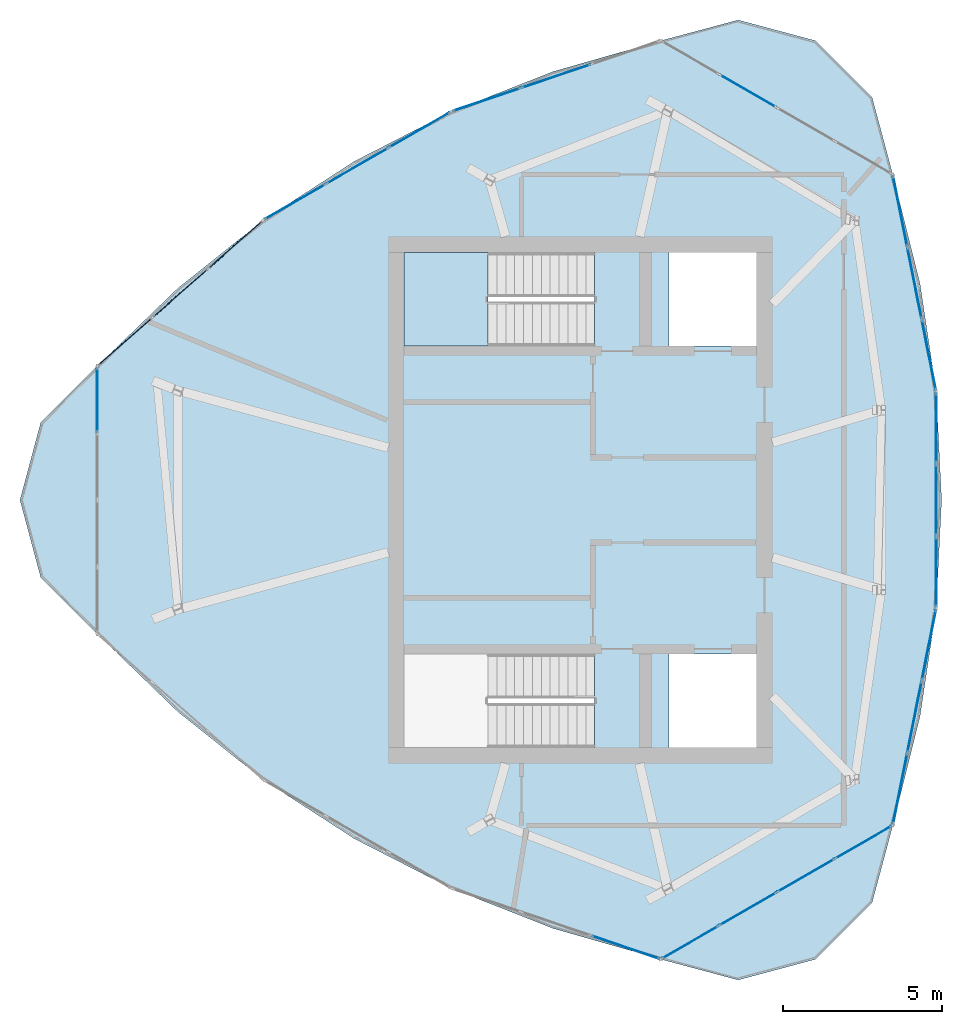
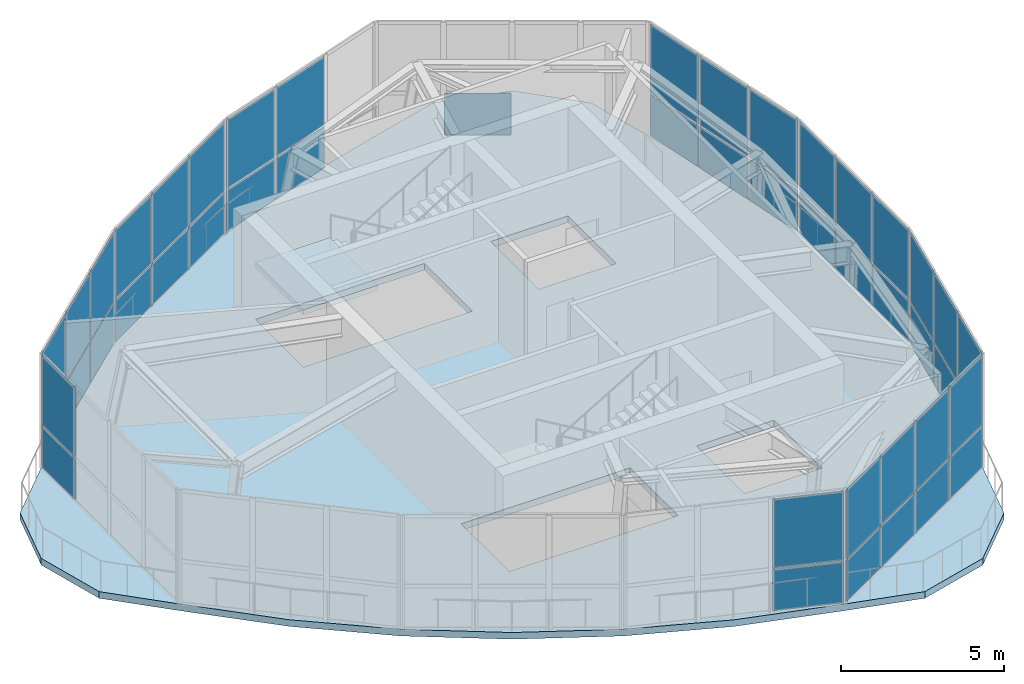
# One storey, part 6 of 10: 47 plates, 2 slabs, 11 elements without a shape of their own.
"""IFC4 building model written with IfcOpenShell, lengths in metres."""

from ifc_helpers import new_model, si_unit, direction, frame, origin, origin_2d, place, context, subcontext, project, spatial, polyline, rectangle, outline, extrude, source, transform, mapped, material, layer, layer_set, type_object, element, aggregate, save


model = new_model("IFC4")

# Units and contexts
model_context = context("Model", 3, precision=1e-05, world=origin(), true_north=direction((0.0, 1.0)))
body_context = subcontext(model_context, "Body", "Model", "MODEL_VIEW")
ifc_project = project(units=[si_unit("LENGTHUNIT", "METRE"), si_unit("AREAUNIT", "SQUARE_METRE"), si_unit("VOLUMEUNIT", "CUBIC_METRE"), si_unit("PLANEANGLEUNIT", "RADIAN"), si_unit("MASSUNIT", "GRAM", prefix="KILO")], contexts=[model_context])

# Site, building, storey
site_placement = place(None, origin())
site = spatial("IfcSite", under=ifc_project, at=site_placement, CompositionType="ELEMENT")
building_placement = place(site_placement, origin())
building = spatial("IfcBuilding", under=site, at=building_placement, Name="Qafzar Sky-Pleat Residences", CompositionType="ELEMENT")
storey_placement = place(building_placement, frame((0.0, 0.0, 261.800048828125)))
storey = spatial("IfcBuildingStorey", under=building, at=storey_placement, Name="L78 Crown", CompositionType="ELEMENT", Elevation=261.800048828125)

# Slab
ifc_material_1 = material(Name="Concrete C40/50", Category="concrete")
ifc_layer_1 = layer(ifc_material_1, 0.25)
ifc_layer_set_1 = layer_set([ifc_layer_1], Name="Concrete C40/50")
slab_type_1 = type_object("IfcSlabType", Name="SLAB-FLR-250", PredefinedType="FLOOR", material=ifc_layer_set_1)
slab_1_placement = place(storey_placement, frame((0.0, 0.0, -0.25)))
element("IfcSlab", 1, at=slab_1_placement, inside=storey, type_object=slab_type_1, Name="L78 Crown Crown Plant Floor Slab", PredefinedType="FLOOR", context=body_context, shape_type="SweptSolid", body=[
    extrude(outline(polyline([(15.12939453125, 30.21923828125), (13.345947265625, 28.43603515625), (12.693359375, 26.0), (13.345947265625, 23.56396484375), (15.12939453125, 21.78076171875), (17.661865234375, 19.33203125), (20.364990234375, 17.17919921875), (23.239501953125, 15.322509765625), (26.284423828125, 13.76171875), (29.50048828125, 12.496826171875), (32.887451171875, 11.528076171875), (35.323486328125, 10.87548828125), (37.759521484375, 11.528076171875), (39.54248046875, 13.311279296875), (40.1953125, 15.747314453125), (41.0498046875, 19.164794921875), (41.5625, 22.58251953125), (41.7333984375, 26.0), (41.5625, 29.41748046875), (41.0498046875, 32.835205078125), (40.1953125, 36.252685546875), (39.54248046875, 38.688720703125), (37.759521484375, 40.471923828125), (35.323486328125, 41.12451171875), (32.887451171875, 40.471923828125), (29.50048828125, 39.503173828125), (26.284423828125, 38.23828125), (23.239501953125, 36.677490234375), (20.364990234375, 34.82080078125), (17.661865234375, 32.66796875), (15.12939453125, 30.21923828125)]), holes=[polyline([(30.797119140625, 21.14990234375), (24.800048828125, 21.14990234375), (24.800048828125, 18.199951171875), (30.797119140625, 18.199951171875), (30.797119140625, 21.14990234375)]), polyline([(30.797119140625, 33.800048828125), (24.800048828125, 33.800048828125), (24.800048828125, 30.85009765625), (30.797119140625, 30.85009765625), (30.797119140625, 33.800048828125)]), polyline([(33.14990234375, 18.199951171875), (35.89990234375, 18.199951171875), (35.89990234375, 21.14990234375), (33.14990234375, 21.14990234375), (33.14990234375, 18.199951171875)]), polyline([(33.14990234375, 30.85009765625), (35.89990234375, 30.85009765625), (35.89990234375, 33.800048828125), (33.14990234375, 33.800048828125), (33.14990234375, 30.85009765625)])]), origin(), (0.0, 0.0, 1.0), 0.25),
])

# Stair, slab
stair_type = type_object("IfcStairType", Name="STAIR-H430", PredefinedType="HALF_TURN_STAIR", material=ifc_material_1)
stair_placement = place(storey_placement, origin())
stair = element("IfcStair", 2, at=stair_placement, inside=storey, type_object=stair_type, Name="L78 Crown Protected Exit Stair ST2", PredefinedType="HALF_TURN_STAIR")
ifc_layer_2 = layer(ifc_material_1, 0.199951171875)
ifc_layer_set_2 = layer_set([ifc_layer_2], Name="Concrete C40/50")
slab_type_2 = type_object("IfcSlabType", Name="SLAB-LANDING-200", PredefinedType="LANDING", material=ifc_layer_set_2)
slab_2_placement = place(storey_placement, frame((0.0, 0.0, 1.949951171875)))
slab_2 = element("IfcSlab", 3, at=slab_2_placement, type_object=slab_type_2, Name="ST2 landing 1", PredefinedType="LANDING", context=body_context, shape_type="SweptSolid", body=[
    extrude(outline(polyline([(27.43994140625, 33.800048828125), (24.800048828125, 33.800048828125), (24.800048828125, 30.85009765625), (27.43994140625, 30.85009765625), (27.43994140625, 33.800048828125)])), origin(), (0.0, 0.0, 1.0), 0.199951171875),
])
aggregate(stair, [slab_2])

# Curtain wall, plate
ifc_material_2 = material(Name="Anodised bronze aluminium framing", Category="aluminium")
ifc_layer_3 = layer(ifc_material_2, 0.179931640625)
ifc_layer_set_3 = layer_set([ifc_layer_3], Name="Anodised bronze aluminium framing")
curtain_wall_type = type_object("IfcCurtainWallType", Name="CW-SYS-06", PredefinedType="NOTDEFINED", material=ifc_layer_set_3)
curtain_wall_1_placement = place(storey_placement, origin())
curtain_wall_1 = element("IfcCurtainWall", 4, at=curtain_wall_1_placement, inside=storey, type_object=curtain_wall_type, Name="L78 Crown CW-06 Curtain Wall CW-CROWN-03-01", PredefinedType="NOTDEFINED")
ifc_material_3 = material(Name="Solar-control double low-E glazing", Category="glass")
ifc_layer_4 = layer(ifc_material_3, 0.02587890625)
ifc_layer_set_4 = layer_set([ifc_layer_4], Name="Solar-control double low-E glazing")
plate_type = type_object("IfcPlateType", Name="CWP-06", PredefinedType="CURTAIN_PANEL", material=ifc_layer_set_4)
shared_shape_1 = source(origin(), body_context, "Body", "SweptSolid", [
    extrude(rectangle(XDim=2.01953125, YDim=0.02587890625, at=origin_2d()), origin(), (0.0, 0.0, 1.0), 1.5439453125),
])
plate_1_placement = place(storey_placement, frame((15.12939453125, 29.1494140625, 0.06005859375), z_axis=(0.0, 0.0, 1.0), x_axis=(0.0, -1.0, 0.0)))
plate_1 = element("IfcPlate", 5, at=plate_1_placement, type_object=plate_type, Name="CW-06 panel 1.1", PredefinedType="CURTAIN_PANEL", context=body_context, shape_type="MappedRepresentation", body=[
    mapped(shared_shape_1, transform((0.0, 0.0, 0.0), x_axis=(1.0, 0.0, 0.0), y_axis=(0.0, 1.0, 0.0), z_axis=(0.0, 0.0, 1.0), scale=1.0)),
])

# Curtain wall, plates
curtain_wall_2_placement = place(storey_placement, origin())
curtain_wall_2 = element("IfcCurtainWall", 6, at=curtain_wall_2_placement, inside=storey, type_object=curtain_wall_type, Name="L78 Crown CW-06 Curtain Wall CW-CROWN-03-05", PredefinedType="NOTDEFINED")
plate_2_placement = place(storey_placement, frame((33.81396484375, 12.06298828125, 0.06005859375), z_axis=(0.0, 0.0, 1.0), x_axis=(0.866024160313, 0.500002153749, 0.0)))
plate_2 = element("IfcPlate", 7, at=plate_2_placement, type_object=plate_type, Name="CW-06 panel 1.1", PredefinedType="CURTAIN_PANEL", context=body_context, shape_type="MappedRepresentation", body=[
    mapped(shared_shape_1, transform((0.0, 0.0, 0.0), x_axis=(1.0, 0.0, 0.0), y_axis=(0.0, 1.0, 0.0), z_axis=(0.0, 0.0, 1.0), scale=1.0)),
])
plate_3_placement = place(storey_placement, frame((39.268798828125, 15.21240234375, 0.06005859375), z_axis=(0.0, 0.0, 1.0), x_axis=(0.866024160313, 0.500002153749, 0.0)))
plate_3 = element("IfcPlate", 8, at=plate_3_placement, type_object=plate_type, Name="CW-06 panel 4.1", PredefinedType="CURTAIN_PANEL", context=body_context, shape_type="MappedRepresentation", body=[
    mapped(shared_shape_1, transform((0.0, 0.0, 0.0), x_axis=(1.0, 0.0, 0.0), y_axis=(0.0, 1.0, 0.0), z_axis=(0.0, 0.0, 1.0), scale=1.0)),
])

# Plate
shared_shape_2 = source(origin(), body_context, "Body", "SweptSolid", [
    extrude(rectangle(XDim=2.01953125, YDim=0.02587890625, at=origin_2d()), origin(), (0.0, 0.0, 1.0), 2.575927734375),
])
plate_4_placement = place(storey_placement, frame((15.12939453125, 29.1494140625, 1.6640625), z_axis=(0.0, 0.0, 1.0), x_axis=(0.0, -1.0, 0.0)))
plate_4 = element("IfcPlate", 9, at=plate_4_placement, type_object=plate_type, Name="CW-06 panel 1.2", PredefinedType="CURTAIN_PANEL", context=body_context, shape_type="MappedRepresentation", body=[
    mapped(shared_shape_2, transform((0.0, 0.0, 0.0), x_axis=(1.0, 0.0, 0.0), y_axis=(0.0, 1.0, 0.0), z_axis=(0.0, 0.0, 1.0), scale=1.0)),
])

aggregate(curtain_wall_1, [plate_1, plate_4])

plate_5_placement = place(storey_placement, frame((33.81396484375, 12.06298828125, 1.6640625), z_axis=(0.0, 0.0, 1.0), x_axis=(0.866024160313, 0.500002153749, 0.0)))
plate_5 = element("IfcPlate", 10, at=plate_5_placement, type_object=plate_type, Name="CW-06 panel 1.2", PredefinedType="CURTAIN_PANEL", context=body_context, shape_type="MappedRepresentation", body=[
    mapped(shared_shape_2, transform((0.0, 0.0, 0.0), x_axis=(1.0, 0.0, 0.0), y_axis=(0.0, 1.0, 0.0), z_axis=(0.0, 0.0, 1.0), scale=1.0)),
])

plate_6_placement = place(storey_placement, frame((39.268798828125, 15.21240234375, 1.6640625), z_axis=(0.0, 0.0, 1.0), x_axis=(0.866024160313, 0.500002153749, 0.0)))
plate_6 = element("IfcPlate", 11, at=plate_6_placement, type_object=plate_type, Name="CW-06 panel 4.2", PredefinedType="CURTAIN_PANEL", context=body_context, shape_type="MappedRepresentation", body=[
    mapped(shared_shape_2, transform((0.0, 0.0, 0.0), x_axis=(1.0, 0.0, 0.0), y_axis=(0.0, 1.0, 0.0), z_axis=(0.0, 0.0, 1.0), scale=1.0)),
])

shared_shape_3 = source(origin(), body_context, "Body", "SweptSolid", [
    extrude(rectangle(XDim=2.049560546875, YDim=0.02587890625, at=origin_2d()), origin(), (0.0, 0.0, 1.0), 1.5439453125),
])
plate_7_placement = place(storey_placement, frame((35.6279296875, 13.1103515625, 0.06005859375), z_axis=(0.0, 0.0, 1.0), x_axis=(0.866024160313, 0.500002153749, 0.0)))
plate_7 = element("IfcPlate", 12, at=plate_7_placement, type_object=plate_type, Name="CW-06 panel 2.1", PredefinedType="CURTAIN_PANEL", context=body_context, shape_type="MappedRepresentation", body=[
    mapped(shared_shape_3, transform((0.0, 0.0, 0.0), x_axis=(1.0, 0.0, 0.0), y_axis=(0.0, 1.0, 0.0), z_axis=(0.0, 0.0, 1.0), scale=1.0)),
])

plate_8_placement = place(storey_placement, frame((37.454833984375, 14.165283203125, 0.06005859375), z_axis=(0.0, 0.0, 1.0), x_axis=(0.866024160313, 0.500002153749, 0.0)))
plate_8 = element("IfcPlate", 13, at=plate_8_placement, type_object=plate_type, Name="CW-06 panel 3.1", PredefinedType="CURTAIN_PANEL", context=body_context, shape_type="MappedRepresentation", body=[
    mapped(shared_shape_3, transform((0.0, 0.0, 0.0), x_axis=(1.0, 0.0, 0.0), y_axis=(0.0, 1.0, 0.0), z_axis=(0.0, 0.0, 1.0), scale=1.0)),
])

# Curtain wall, plate
curtain_wall_3_placement = place(storey_placement, origin())
curtain_wall_3 = element("IfcCurtainWall", 14, at=curtain_wall_3_placement, inside=storey, type_object=curtain_wall_type, Name="L78 Crown CW-06 Curtain Wall CW-CROWN-03-09", PredefinedType="NOTDEFINED")
plate_9_placement = place(storey_placement, frame((35.6279296875, 38.8896484375, 0.06005859375), z_axis=(0.0, 0.0, 1.0), x_axis=(-0.866024160313, 0.500002153749, 0.0)))
plate_9 = element("IfcPlate", 15, at=plate_9_placement, type_object=plate_type, Name="CW-06 panel 3.1", PredefinedType="CURTAIN_PANEL", context=body_context, shape_type="MappedRepresentation", body=[
    mapped(shared_shape_3, transform((0.0, 0.0, 0.0), x_axis=(1.0, 0.0, 0.0), y_axis=(0.0, 1.0, 0.0), z_axis=(0.0, 0.0, 1.0), scale=1.0)),
])
aggregate(curtain_wall_3, [plate_9])

# Plate
shared_shape_4 = source(origin(), body_context, "Body", "SweptSolid", [
    extrude(rectangle(XDim=2.049560546875, YDim=0.02587890625, at=origin_2d()), origin(), (0.0, 0.0, 1.0), 2.575927734375),
])
plate_10_placement = place(storey_placement, frame((35.6279296875, 13.1103515625, 1.6640625), z_axis=(0.0, 0.0, 1.0), x_axis=(0.866024160313, 0.500002153749, 0.0)))
plate_10 = element("IfcPlate", 16, at=plate_10_placement, type_object=plate_type, Name="CW-06 panel 2.2", PredefinedType="CURTAIN_PANEL", context=body_context, shape_type="MappedRepresentation", body=[
    mapped(shared_shape_4, transform((0.0, 0.0, 0.0), x_axis=(1.0, 0.0, 0.0), y_axis=(0.0, 1.0, 0.0), z_axis=(0.0, 0.0, 1.0), scale=1.0)),
])

plate_11_placement = place(storey_placement, frame((37.454833984375, 14.165283203125, 1.6640625), z_axis=(0.0, 0.0, 1.0), x_axis=(0.866024160313, 0.500002153749, 0.0)))
plate_11 = element("IfcPlate", 17, at=plate_11_placement, type_object=plate_type, Name="CW-06 panel 3.2", PredefinedType="CURTAIN_PANEL", context=body_context, shape_type="MappedRepresentation", body=[
    mapped(shared_shape_4, transform((0.0, 0.0, 0.0), x_axis=(1.0, 0.0, 0.0), y_axis=(0.0, 1.0, 0.0), z_axis=(0.0, 0.0, 1.0), scale=1.0)),
])

aggregate(curtain_wall_2, [plate_2, plate_5, plate_7, plate_10, plate_8, plate_11, plate_3, plate_6])

# Curtain wall, plate
curtain_wall_4_placement = place(storey_placement, origin())
curtain_wall_4 = element("IfcCurtainWall", 18, at=curtain_wall_4_placement, inside=storey, type_object=curtain_wall_type, Name="L78 Crown CW-06 Curtain Wall CW-CROWN-03-04", PredefinedType="NOTDEFINED")
shared_shape_5 = source(origin(), body_context, "Body", "SweptSolid", [
    extrude(rectangle(XDim=2.2333984375, YDim=0.02587890625, at=origin_2d()), origin(), (0.0, 0.0, 1.0), 1.5439453125),
])
plate_12_placement = place(storey_placement, frame((31.772705078125, 11.9052734375, 0.06005859375), z_axis=(0.0, 0.0, 1.0), x_axis=(0.947265087095, -0.320451017741, 0.0)))
plate_12 = element("IfcPlate", 19, at=plate_12_placement, type_object=plate_type, Name="CW-06 panel 3.1", PredefinedType="CURTAIN_PANEL", context=body_context, shape_type="MappedRepresentation", body=[
    mapped(shared_shape_5, transform((0.0, 0.0, 0.0), x_axis=(1.0, 0.0, 0.0), y_axis=(0.0, 1.0, 0.0), z_axis=(0.0, 0.0, 1.0), scale=1.0)),
])

# Curtain wall, plates
curtain_wall_5_placement = place(storey_placement, origin())
curtain_wall_5 = element("IfcCurtainWall", 20, at=curtain_wall_5_placement, inside=storey, type_object=curtain_wall_type, Name="L78 Crown CW-06 Curtain Wall CW-CROWN-03-06", PredefinedType="NOTDEFINED")
plate_13_placement = place(storey_placement, frame((40.42626953125, 16.9013671875, 0.06005859375), z_axis=(0.0, 0.0, 1.0), x_axis=(0.196113376234, 0.980581227468, 0.0)))
plate_13 = element("IfcPlate", 21, at=plate_13_placement, type_object=plate_type, Name="CW-06 panel 1.1", PredefinedType="CURTAIN_PANEL", context=body_context, shape_type="MappedRepresentation", body=[
    mapped(shared_shape_5, transform((0.0, 0.0, 0.0), x_axis=(1.0, 0.0, 0.0), y_axis=(0.0, 1.0, 0.0), z_axis=(0.0, 0.0, 1.0), scale=1.0)),
])
plate_14_placement = place(storey_placement, frame((41.33154296875, 21.4287109375, 0.06005859375), z_axis=(0.0, 0.0, 1.0), x_axis=(0.196113376234, 0.980581227468, 0.0)))
plate_14 = element("IfcPlate", 22, at=plate_14_placement, type_object=plate_type, Name="CW-06 panel 3.1", PredefinedType="CURTAIN_PANEL", context=body_context, shape_type="MappedRepresentation", body=[
    mapped(shared_shape_5, transform((0.0, 0.0, 0.0), x_axis=(1.0, 0.0, 0.0), y_axis=(0.0, 1.0, 0.0), z_axis=(0.0, 0.0, 1.0), scale=1.0)),
])

curtain_wall_6_placement = place(storey_placement, origin())
curtain_wall_6 = element("IfcCurtainWall", 23, at=curtain_wall_6_placement, inside=storey, type_object=curtain_wall_type, Name="L78 Crown CW-06 Curtain Wall CW-CROWN-03-08", PredefinedType="NOTDEFINED")
plate_15_placement = place(storey_placement, frame((41.33154296875, 30.5712890625, 0.06005859375), z_axis=(0.0, 0.0, 1.0), x_axis=(-0.196113376234, 0.980581227468, 0.0)))
plate_15 = element("IfcPlate", 24, at=plate_15_placement, type_object=plate_type, Name="CW-06 panel 1.1", PredefinedType="CURTAIN_PANEL", context=body_context, shape_type="MappedRepresentation", body=[
    mapped(shared_shape_5, transform((0.0, 0.0, 0.0), x_axis=(1.0, 0.0, 0.0), y_axis=(0.0, 1.0, 0.0), z_axis=(0.0, 0.0, 1.0), scale=1.0)),
])
plate_16_placement = place(storey_placement, frame((40.42626953125, 35.0986328125, 0.06005859375), z_axis=(0.0, 0.0, 1.0), x_axis=(-0.196113376234, 0.980581227468, 0.0)))
plate_16 = element("IfcPlate", 25, at=plate_16_placement, type_object=plate_type, Name="CW-06 panel 3.1", PredefinedType="CURTAIN_PANEL", context=body_context, shape_type="MappedRepresentation", body=[
    mapped(shared_shape_5, transform((0.0, 0.0, 0.0), x_axis=(1.0, 0.0, 0.0), y_axis=(0.0, 1.0, 0.0), z_axis=(0.0, 0.0, 1.0), scale=1.0)),
])

# Curtain wall, plate
curtain_wall_7_placement = place(storey_placement, origin())
curtain_wall_7 = element("IfcCurtainWall", 26, at=curtain_wall_7_placement, inside=storey, type_object=curtain_wall_type, Name="L78 Crown CW-06 Curtain Wall CW-CROWN-03-10", PredefinedType="NOTDEFINED")
plate_17_placement = place(storey_placement, frame((27.399169921875, 38.615234375, 0.06005859375), z_axis=(0.0, 0.0, 1.0), x_axis=(-0.947265087095, -0.320451017741, 0.0)))
plate_17 = element("IfcPlate", 27, at=plate_17_placement, type_object=plate_type, Name="CW-06 panel 3.1", PredefinedType="CURTAIN_PANEL", context=body_context, shape_type="MappedRepresentation", body=[
    mapped(shared_shape_5, transform((0.0, 0.0, 0.0), x_axis=(1.0, 0.0, 0.0), y_axis=(0.0, 1.0, 0.0), z_axis=(0.0, 0.0, 1.0), scale=1.0)),
])

# Curtain wall, plates
curtain_wall_8_placement = place(storey_placement, origin())
curtain_wall_8 = element("IfcCurtainWall", 28, at=curtain_wall_8_placement, inside=storey, type_object=curtain_wall_type, Name="L78 Crown CW-06 Curtain Wall CW-CROWN-03-12", PredefinedType="NOTDEFINED")
plate_18_placement = place(storey_placement, frame((19.481201171875, 34.0439453125, 0.06005859375), z_axis=(0.0, 0.0, 1.0), x_axis=(-0.751147652812, -0.660134231558, 0.0)))
plate_18 = element("IfcPlate", 29, at=plate_18_placement, type_object=plate_type, Name="CW-06 panel 1.1", PredefinedType="CURTAIN_PANEL", context=body_context, shape_type="MappedRepresentation", body=[
    mapped(shared_shape_5, transform((0.0, 0.0, 0.0), x_axis=(1.0, 0.0, 0.0), y_axis=(0.0, 1.0, 0.0), z_axis=(0.0, 0.0, 1.0), scale=1.0)),
])
plate_19_placement = place(storey_placement, frame((16.01318359375, 30.99609375, 0.06005859375), z_axis=(0.0, 0.0, 1.0), x_axis=(-0.751147652812, -0.660134231558, 0.0)))
plate_19 = element("IfcPlate", 30, at=plate_19_placement, type_object=plate_type, Name="CW-06 panel 3.1", PredefinedType="CURTAIN_PANEL", context=body_context, shape_type="MappedRepresentation", body=[
    mapped(shared_shape_5, transform((0.0, 0.0, 0.0), x_axis=(1.0, 0.0, 0.0), y_axis=(0.0, 1.0, 0.0), z_axis=(0.0, 0.0, 1.0), scale=1.0)),
])

# Plate
shared_shape_6 = source(origin(), body_context, "Body", "SweptSolid", [
    extrude(rectangle(XDim=2.2333984375, YDim=0.02587890625, at=origin_2d()), origin(), (0.0, 0.0, 1.0), 2.575927734375),
])
plate_20_placement = place(storey_placement, frame((31.772705078125, 11.9052734375, 1.6640625), z_axis=(0.0, 0.0, 1.0), x_axis=(0.947265087095, -0.320451017741, 0.0)))
plate_20 = element("IfcPlate", 31, at=plate_20_placement, type_object=plate_type, Name="CW-06 panel 3.2", PredefinedType="CURTAIN_PANEL", context=body_context, shape_type="MappedRepresentation", body=[
    mapped(shared_shape_6, transform((0.0, 0.0, 0.0), x_axis=(1.0, 0.0, 0.0), y_axis=(0.0, 1.0, 0.0), z_axis=(0.0, 0.0, 1.0), scale=1.0)),
])

aggregate(curtain_wall_4, [plate_12, plate_20])

plate_21_placement = place(storey_placement, frame((40.42626953125, 16.9013671875, 1.6640625), z_axis=(0.0, 0.0, 1.0), x_axis=(0.196113376234, 0.980581227468, 0.0)))
plate_21 = element("IfcPlate", 32, at=plate_21_placement, type_object=plate_type, Name="CW-06 panel 1.2", PredefinedType="CURTAIN_PANEL", context=body_context, shape_type="MappedRepresentation", body=[
    mapped(shared_shape_6, transform((0.0, 0.0, 0.0), x_axis=(1.0, 0.0, 0.0), y_axis=(0.0, 1.0, 0.0), z_axis=(0.0, 0.0, 1.0), scale=1.0)),
])

plate_22_placement = place(storey_placement, frame((41.33154296875, 21.4287109375, 1.6640625), z_axis=(0.0, 0.0, 1.0), x_axis=(0.196113376234, 0.980581227468, 0.0)))
plate_22 = element("IfcPlate", 33, at=plate_22_placement, type_object=plate_type, Name="CW-06 panel 3.2", PredefinedType="CURTAIN_PANEL", context=body_context, shape_type="MappedRepresentation", body=[
    mapped(shared_shape_6, transform((0.0, 0.0, 0.0), x_axis=(1.0, 0.0, 0.0), y_axis=(0.0, 1.0, 0.0), z_axis=(0.0, 0.0, 1.0), scale=1.0)),
])

plate_23_placement = place(storey_placement, frame((41.33154296875, 30.5712890625, 1.6640625), z_axis=(0.0, 0.0, 1.0), x_axis=(-0.196113376234, 0.980581227468, 0.0)))
plate_23 = element("IfcPlate", 34, at=plate_23_placement, type_object=plate_type, Name="CW-06 panel 1.2", PredefinedType="CURTAIN_PANEL", context=body_context, shape_type="MappedRepresentation", body=[
    mapped(shared_shape_6, transform((0.0, 0.0, 0.0), x_axis=(1.0, 0.0, 0.0), y_axis=(0.0, 1.0, 0.0), z_axis=(0.0, 0.0, 1.0), scale=1.0)),
])

plate_24_placement = place(storey_placement, frame((40.42626953125, 35.0986328125, 1.6640625), z_axis=(0.0, 0.0, 1.0), x_axis=(-0.196113376234, 0.980581227468, 0.0)))
plate_24 = element("IfcPlate", 35, at=plate_24_placement, type_object=plate_type, Name="CW-06 panel 3.2", PredefinedType="CURTAIN_PANEL", context=body_context, shape_type="MappedRepresentation", body=[
    mapped(shared_shape_6, transform((0.0, 0.0, 0.0), x_axis=(1.0, 0.0, 0.0), y_axis=(0.0, 1.0, 0.0), z_axis=(0.0, 0.0, 1.0), scale=1.0)),
])

plate_25_placement = place(storey_placement, frame((27.399169921875, 38.615234375, 1.6640625), z_axis=(0.0, 0.0, 1.0), x_axis=(-0.947265087095, -0.320451017741, 0.0)))
plate_25 = element("IfcPlate", 36, at=plate_25_placement, type_object=plate_type, Name="CW-06 panel 3.2", PredefinedType="CURTAIN_PANEL", context=body_context, shape_type="MappedRepresentation", body=[
    mapped(shared_shape_6, transform((0.0, 0.0, 0.0), x_axis=(1.0, 0.0, 0.0), y_axis=(0.0, 1.0, 0.0), z_axis=(0.0, 0.0, 1.0), scale=1.0)),
])

plate_26_placement = place(storey_placement, frame((19.481201171875, 34.0439453125, 1.6640625), z_axis=(0.0, 0.0, 1.0), x_axis=(-0.751147652812, -0.660134231558, 0.0)))
plate_26 = element("IfcPlate", 37, at=plate_26_placement, type_object=plate_type, Name="CW-06 panel 1.2", PredefinedType="CURTAIN_PANEL", context=body_context, shape_type="MappedRepresentation", body=[
    mapped(shared_shape_6, transform((0.0, 0.0, 0.0), x_axis=(1.0, 0.0, 0.0), y_axis=(0.0, 1.0, 0.0), z_axis=(0.0, 0.0, 1.0), scale=1.0)),
])

plate_27_placement = place(storey_placement, frame((16.01318359375, 30.99609375, 1.6640625), z_axis=(0.0, 0.0, 1.0), x_axis=(-0.751147652812, -0.660134231558, 0.0)))
plate_27 = element("IfcPlate", 38, at=plate_27_placement, type_object=plate_type, Name="CW-06 panel 3.2", PredefinedType="CURTAIN_PANEL", context=body_context, shape_type="MappedRepresentation", body=[
    mapped(shared_shape_6, transform((0.0, 0.0, 0.0), x_axis=(1.0, 0.0, 0.0), y_axis=(0.0, 1.0, 0.0), z_axis=(0.0, 0.0, 1.0), scale=1.0)),
])

shared_shape_7 = source(origin(), body_context, "Body", "SweptSolid", [
    extrude(rectangle(XDim=2.263427734375, YDim=0.02587890625, at=origin_2d()), origin(), (0.0, 0.0, 1.0), 1.5439453125),
])
plate_28_placement = place(storey_placement, frame((40.87890625, 19.1650390625, 0.06005859375), z_axis=(0.0, 0.0, 1.0), x_axis=(0.196113376234, 0.980581227468, 0.0)))
plate_28 = element("IfcPlate", 39, at=plate_28_placement, type_object=plate_type, Name="CW-06 panel 2.1", PredefinedType="CURTAIN_PANEL", context=body_context, shape_type="MappedRepresentation", body=[
    mapped(shared_shape_7, transform((0.0, 0.0, 0.0), x_axis=(1.0, 0.0, 0.0), y_axis=(0.0, 1.0, 0.0), z_axis=(0.0, 0.0, 1.0), scale=1.0)),
])

plate_29_placement = place(storey_placement, frame((40.87890625, 32.8349609375, 0.06005859375), z_axis=(0.0, 0.0, 1.0), x_axis=(-0.196113376234, 0.980581227468, 0.0)))
plate_29 = element("IfcPlate", 40, at=plate_29_placement, type_object=plate_type, Name="CW-06 panel 2.1", PredefinedType="CURTAIN_PANEL", context=body_context, shape_type="MappedRepresentation", body=[
    mapped(shared_shape_7, transform((0.0, 0.0, 0.0), x_axis=(1.0, 0.0, 0.0), y_axis=(0.0, 1.0, 0.0), z_axis=(0.0, 0.0, 1.0), scale=1.0)),
])

plate_30_placement = place(storey_placement, frame((29.5859375, 39.35498046875, 0.06005859375), z_axis=(0.0, 0.0, 1.0), x_axis=(-0.947265087095, -0.320451017741, 0.0)))
plate_30 = element("IfcPlate", 41, at=plate_30_placement, type_object=plate_type, Name="CW-06 panel 2.1", PredefinedType="CURTAIN_PANEL", context=body_context, shape_type="MappedRepresentation", body=[
    mapped(shared_shape_7, transform((0.0, 0.0, 0.0), x_axis=(1.0, 0.0, 0.0), y_axis=(0.0, 1.0, 0.0), z_axis=(0.0, 0.0, 1.0), scale=1.0)),
])

plate_31_placement = place(storey_placement, frame((17.747314453125, 32.52001953125, 0.06005859375), z_axis=(0.0, 0.0, 1.0), x_axis=(-0.751147652812, -0.660134231558, 0.0)))
plate_31 = element("IfcPlate", 42, at=plate_31_placement, type_object=plate_type, Name="CW-06 panel 2.1", PredefinedType="CURTAIN_PANEL", context=body_context, shape_type="MappedRepresentation", body=[
    mapped(shared_shape_7, transform((0.0, 0.0, 0.0), x_axis=(1.0, 0.0, 0.0), y_axis=(0.0, 1.0, 0.0), z_axis=(0.0, 0.0, 1.0), scale=1.0)),
])

shared_shape_8 = source(origin(), body_context, "Body", "SweptSolid", [
    extrude(rectangle(XDim=2.263427734375, YDim=0.02587890625, at=origin_2d()), origin(), (0.0, 0.0, 1.0), 2.575927734375),
])
plate_32_placement = place(storey_placement, frame((40.87890625, 19.1650390625, 1.6640625), z_axis=(0.0, 0.0, 1.0), x_axis=(0.196113376234, 0.980581227468, 0.0)))
plate_32 = element("IfcPlate", 43, at=plate_32_placement, type_object=plate_type, Name="CW-06 panel 2.2", PredefinedType="CURTAIN_PANEL", context=body_context, shape_type="MappedRepresentation", body=[
    mapped(shared_shape_8, transform((0.0, 0.0, 0.0), x_axis=(1.0, 0.0, 0.0), y_axis=(0.0, 1.0, 0.0), z_axis=(0.0, 0.0, 1.0), scale=1.0)),
])

aggregate(curtain_wall_5, [plate_13, plate_21, plate_28, plate_32, plate_14, plate_22])

plate_33_placement = place(storey_placement, frame((40.87890625, 32.8349609375, 1.6640625), z_axis=(0.0, 0.0, 1.0), x_axis=(-0.196113376234, 0.980581227468, 0.0)))
plate_33 = element("IfcPlate", 44, at=plate_33_placement, type_object=plate_type, Name="CW-06 panel 2.2", PredefinedType="CURTAIN_PANEL", context=body_context, shape_type="MappedRepresentation", body=[
    mapped(shared_shape_8, transform((0.0, 0.0, 0.0), x_axis=(1.0, 0.0, 0.0), y_axis=(0.0, 1.0, 0.0), z_axis=(0.0, 0.0, 1.0), scale=1.0)),
])

aggregate(curtain_wall_6, [plate_15, plate_23, plate_29, plate_33, plate_16, plate_24])

plate_34_placement = place(storey_placement, frame((29.5859375, 39.35498046875, 1.6640625), z_axis=(0.0, 0.0, 1.0), x_axis=(-0.947265087095, -0.320451017741, 0.0)))
plate_34 = element("IfcPlate", 45, at=plate_34_placement, type_object=plate_type, Name="CW-06 panel 2.2", PredefinedType="CURTAIN_PANEL", context=body_context, shape_type="MappedRepresentation", body=[
    mapped(shared_shape_8, transform((0.0, 0.0, 0.0), x_axis=(1.0, 0.0, 0.0), y_axis=(0.0, 1.0, 0.0), z_axis=(0.0, 0.0, 1.0), scale=1.0)),
])

aggregate(curtain_wall_7, [plate_30, plate_34, plate_17, plate_25])

plate_35_placement = place(storey_placement, frame((17.747314453125, 32.52001953125, 1.6640625), z_axis=(0.0, 0.0, 1.0), x_axis=(-0.751147652812, -0.660134231558, 0.0)))
plate_35 = element("IfcPlate", 46, at=plate_35_placement, type_object=plate_type, Name="CW-06 panel 2.2", PredefinedType="CURTAIN_PANEL", context=body_context, shape_type="MappedRepresentation", body=[
    mapped(shared_shape_8, transform((0.0, 0.0, 0.0), x_axis=(1.0, 0.0, 0.0), y_axis=(0.0, 1.0, 0.0), z_axis=(0.0, 0.0, 1.0), scale=1.0)),
])

aggregate(curtain_wall_8, [plate_18, plate_26, plate_31, plate_35, plate_19, plate_27])

# Curtain wall, plates
curtain_wall_9_placement = place(storey_placement, origin())
curtain_wall_9 = element("IfcCurtainWall", 47, at=curtain_wall_9_placement, inside=storey, type_object=curtain_wall_type, Name="L78 Crown CW-06 Curtain Wall CW-CROWN-03-11", PredefinedType="NOTDEFINED")
shared_shape_9 = source(origin(), body_context, "Body", "SweptSolid", [
    extrude(rectangle(XDim=2.1884765625, YDim=0.02587890625, at=origin_2d()), origin(), (0.0, 0.0, 1.0), 1.5439453125),
])
plate_36_placement = place(storey_placement, frame((25.284912109375, 37.6611328125, 0.06005859375), z_axis=(0.0, 0.0, 1.0), x_axis=(-0.866029659913, -0.499992628097, 0.0)))
plate_36 = element("IfcPlate", 48, at=plate_36_placement, type_object=plate_type, Name="CW-06 panel 1.1", PredefinedType="CURTAIN_PANEL", context=body_context, shape_type="MappedRepresentation", body=[
    mapped(shared_shape_9, transform((0.0, 0.0, 0.0), x_axis=(1.0, 0.0, 0.0), y_axis=(0.0, 1.0, 0.0), z_axis=(0.0, 0.0, 1.0), scale=1.0)),
])
plate_37_placement = place(storey_placement, frame((21.36474609375, 35.397705078125, 0.06005859375), z_axis=(0.0, 0.0, 1.0), x_axis=(-0.866029659913, -0.499992628097, 0.0)))
plate_37 = element("IfcPlate", 49, at=plate_37_placement, type_object=plate_type, Name="CW-06 panel 3.1", PredefinedType="CURTAIN_PANEL", context=body_context, shape_type="MappedRepresentation", body=[
    mapped(shared_shape_9, transform((0.0, 0.0, 0.0), x_axis=(1.0, 0.0, 0.0), y_axis=(0.0, 1.0, 0.0), z_axis=(0.0, 0.0, 1.0), scale=1.0)),
])
shared_shape_10 = source(origin(), body_context, "Body", "SweptSolid", [
    extrude(rectangle(XDim=2.1884765625, YDim=0.02587890625, at=origin_2d()), origin(), (0.0, 0.0, 1.0), 2.575927734375),
])
plate_38_placement = place(storey_placement, frame((25.284912109375, 37.6611328125, 1.6640625), z_axis=(0.0, 0.0, 1.0), x_axis=(-0.866029659913, -0.499992628097, 0.0)))
plate_38 = element("IfcPlate", 50, at=plate_38_placement, type_object=plate_type, Name="CW-06 panel 1.2", PredefinedType="CURTAIN_PANEL", context=body_context, shape_type="MappedRepresentation", body=[
    mapped(shared_shape_10, transform((0.0, 0.0, 0.0), x_axis=(1.0, 0.0, 0.0), y_axis=(0.0, 1.0, 0.0), z_axis=(0.0, 0.0, 1.0), scale=1.0)),
])
plate_39_placement = place(storey_placement, frame((21.36474609375, 35.397705078125, 1.6640625), z_axis=(0.0, 0.0, 1.0), x_axis=(-0.866029659913, -0.499992628097, 0.0)))
plate_39 = element("IfcPlate", 51, at=plate_39_placement, type_object=plate_type, Name="CW-06 panel 3.2", PredefinedType="CURTAIN_PANEL", context=body_context, shape_type="MappedRepresentation", body=[
    mapped(shared_shape_10, transform((0.0, 0.0, 0.0), x_axis=(1.0, 0.0, 0.0), y_axis=(0.0, 1.0, 0.0), z_axis=(0.0, 0.0, 1.0), scale=1.0)),
])

# Curtain wall, plate
curtain_wall_10_placement = place(storey_placement, origin())
curtain_wall_10 = element("IfcCurtainWall", 52, at=curtain_wall_10_placement, inside=storey, type_object=curtain_wall_type, Name="L78 Crown CW-06 Curtain Wall CW-CROWN-03-07", PredefinedType="NOTDEFINED")
shared_shape_11 = source(origin(), body_context, "Body", "SweptSolid", [
    extrude(rectangle(XDim=2.21826171875, YDim=0.02587890625, at=origin_2d()), origin(), (0.0, 0.0, 1.0), 1.5439453125),
])
plate_40_placement = place(storey_placement, frame((41.5625, 26.0, 0.06005859375), z_axis=(0.0, 0.0, 1.0), x_axis=(0.0, 1.0, 0.0)))
plate_40 = element("IfcPlate", 53, at=plate_40_placement, type_object=plate_type, Name="CW-06 panel 2.1", PredefinedType="CURTAIN_PANEL", context=body_context, shape_type="MappedRepresentation", body=[
    mapped(shared_shape_11, transform((0.0, 0.0, 0.0), x_axis=(1.0, 0.0, 0.0), y_axis=(0.0, 1.0, 0.0), z_axis=(0.0, 0.0, 1.0), scale=1.0)),
])

# Plate
plate_41_placement = place(storey_placement, frame((23.32470703125, 36.529541015625, 0.06005859375), z_axis=(0.0, 0.0, 1.0), x_axis=(-0.866029659913, -0.499992628097, 0.0)))
plate_41 = element("IfcPlate", 54, at=plate_41_placement, type_object=plate_type, Name="CW-06 panel 2.1", PredefinedType="CURTAIN_PANEL", context=body_context, shape_type="MappedRepresentation", body=[
    mapped(shared_shape_11, transform((0.0, 0.0, 0.0), x_axis=(1.0, 0.0, 0.0), y_axis=(0.0, 1.0, 0.0), z_axis=(0.0, 0.0, 1.0), scale=1.0)),
])

shared_shape_12 = source(origin(), body_context, "Body", "SweptSolid", [
    extrude(rectangle(XDim=2.21826171875, YDim=0.02587890625, at=origin_2d()), origin(), (0.0, 0.0, 1.0), 2.575927734375),
])
plate_42_placement = place(storey_placement, frame((41.5625, 26.0, 1.6640625), z_axis=(0.0, 0.0, 1.0), x_axis=(0.0, 1.0, 0.0)))
plate_42 = element("IfcPlate", 55, at=plate_42_placement, type_object=plate_type, Name="CW-06 panel 2.2", PredefinedType="CURTAIN_PANEL", context=body_context, shape_type="MappedRepresentation", body=[
    mapped(shared_shape_12, transform((0.0, 0.0, 0.0), x_axis=(1.0, 0.0, 0.0), y_axis=(0.0, 1.0, 0.0), z_axis=(0.0, 0.0, 1.0), scale=1.0)),
])

plate_43_placement = place(storey_placement, frame((23.32470703125, 36.529541015625, 1.6640625), z_axis=(0.0, 0.0, 1.0), x_axis=(-0.866029659913, -0.499992628097, 0.0)))
plate_43 = element("IfcPlate", 56, at=plate_43_placement, type_object=plate_type, Name="CW-06 panel 2.2", PredefinedType="CURTAIN_PANEL", context=body_context, shape_type="MappedRepresentation", body=[
    mapped(shared_shape_12, transform((0.0, 0.0, 0.0), x_axis=(1.0, 0.0, 0.0), y_axis=(0.0, 1.0, 0.0), z_axis=(0.0, 0.0, 1.0), scale=1.0)),
])

aggregate(curtain_wall_9, [plate_36, plate_38, plate_41, plate_43, plate_37, plate_39])

shared_shape_13 = source(origin(), body_context, "Body", "SweptSolid", [
    extrude(rectangle(XDim=2.188232421875, YDim=0.02587890625, at=origin_2d()), origin(), (0.0, 0.0, 1.0), 1.5439453125),
])
plate_44_placement = place(storey_placement, frame((41.5625, 23.736572265625, 0.06005859375), z_axis=(0.0, 0.0, 1.0), x_axis=(0.0, 1.0, 0.0)))
plate_44 = element("IfcPlate", 57, at=plate_44_placement, type_object=plate_type, Name="CW-06 panel 1.1", PredefinedType="CURTAIN_PANEL", context=body_context, shape_type="MappedRepresentation", body=[
    mapped(shared_shape_13, transform((0.0, 0.0, 0.0), x_axis=(1.0, 0.0, 0.0), y_axis=(0.0, 1.0, 0.0), z_axis=(0.0, 0.0, 1.0), scale=1.0)),
])

plate_45_placement = place(storey_placement, frame((41.5625, 28.263427734375, 0.06005859375), z_axis=(0.0, 0.0, 1.0), x_axis=(0.0, 1.0, 0.0)))
plate_45 = element("IfcPlate", 58, at=plate_45_placement, type_object=plate_type, Name="CW-06 panel 3.1", PredefinedType="CURTAIN_PANEL", context=body_context, shape_type="MappedRepresentation", body=[
    mapped(shared_shape_13, transform((0.0, 0.0, 0.0), x_axis=(1.0, 0.0, 0.0), y_axis=(0.0, 1.0, 0.0), z_axis=(0.0, 0.0, 1.0), scale=1.0)),
])

shared_shape_14 = source(origin(), body_context, "Body", "SweptSolid", [
    extrude(rectangle(XDim=2.188232421875, YDim=0.02587890625, at=origin_2d()), origin(), (0.0, 0.0, 1.0), 2.575927734375),
])
plate_46_placement = place(storey_placement, frame((41.5625, 23.736572265625, 1.6640625), z_axis=(0.0, 0.0, 1.0), x_axis=(0.0, 1.0, 0.0)))
plate_46 = element("IfcPlate", 59, at=plate_46_placement, type_object=plate_type, Name="CW-06 panel 1.2", PredefinedType="CURTAIN_PANEL", context=body_context, shape_type="MappedRepresentation", body=[
    mapped(shared_shape_14, transform((0.0, 0.0, 0.0), x_axis=(1.0, 0.0, 0.0), y_axis=(0.0, 1.0, 0.0), z_axis=(0.0, 0.0, 1.0), scale=1.0)),
])

plate_47_placement = place(storey_placement, frame((41.5625, 28.263427734375, 1.6640625), z_axis=(0.0, 0.0, 1.0), x_axis=(0.0, 1.0, 0.0)))
plate_47 = element("IfcPlate", 60, at=plate_47_placement, type_object=plate_type, Name="CW-06 panel 3.2", PredefinedType="CURTAIN_PANEL", context=body_context, shape_type="MappedRepresentation", body=[
    mapped(shared_shape_14, transform((0.0, 0.0, 0.0), x_axis=(1.0, 0.0, 0.0), y_axis=(0.0, 1.0, 0.0), z_axis=(0.0, 0.0, 1.0), scale=1.0)),
])

aggregate(curtain_wall_10, [plate_44, plate_46, plate_40, plate_42, plate_45, plate_47])

save(model, "model.ifc")
